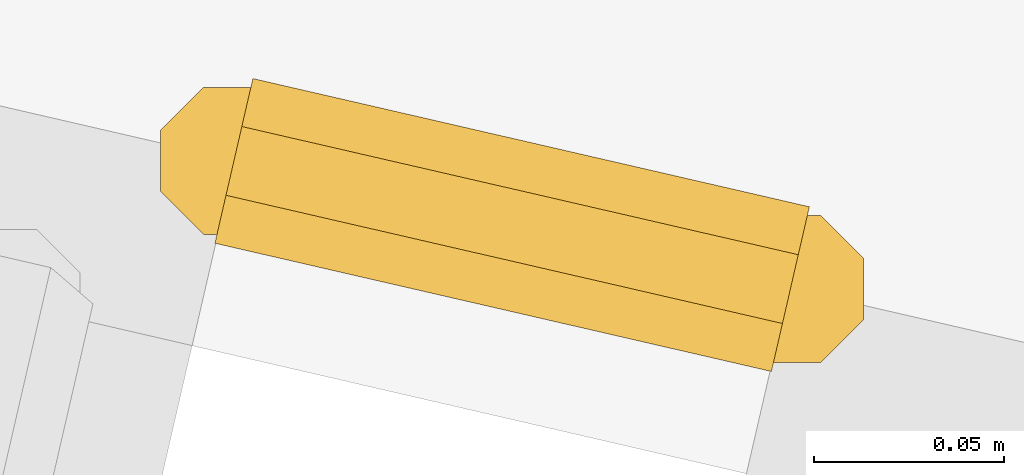
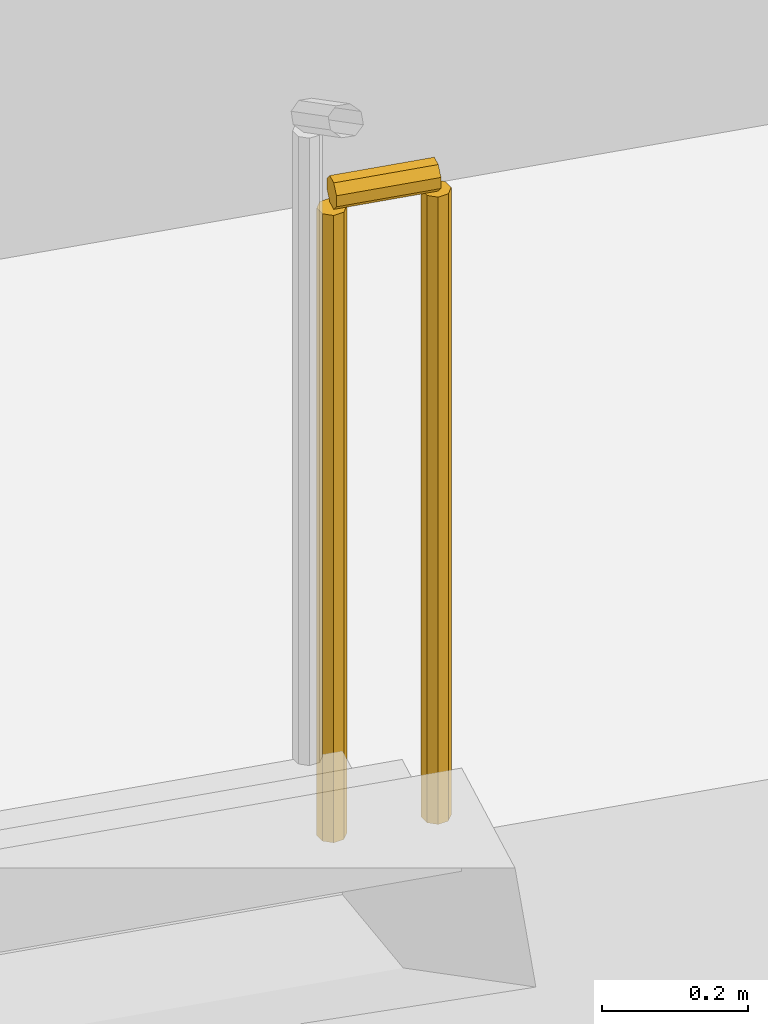
# One storey, part 23 of 27: 1 railing.
"""IFC4 building model written with IfcOpenShell, lengths in metres."""

from ifc_helpers import new_model, si_unit, direction, frame, origin, place, context, subcontext, project, spatial, polyline, outline, extrude, material, type_object, element, save


model = new_model("IFC4")

# Units and contexts
model_context = context("Model", 3, precision=1e-05, world=origin(), true_north=direction((0.0, 1.0)))
body_context = subcontext(model_context, "Body", "Model", "MODEL_VIEW")
ifc_project = project(units=[si_unit("LENGTHUNIT", "METRE"), si_unit("AREAUNIT", "SQUARE_METRE"), si_unit("VOLUMEUNIT", "CUBIC_METRE"), si_unit("PLANEANGLEUNIT", "RADIAN"), si_unit("MASSUNIT", "GRAM", prefix="KILO")], contexts=[model_context])

# Site, building, storey
site_placement = place(None, origin())
site = spatial("IfcSite", under=ifc_project, at=site_placement, CompositionType="ELEMENT")
building_placement = place(site_placement, origin())
building = spatial("IfcBuilding", under=site, at=building_placement, Name="Cormorant Relay Tower", CompositionType="ELEMENT")
storey_placement = place(building_placement, frame((0.0, 0.0, -4.5)))
storey = spatial("IfcBuildingStorey", under=building, at=storey_placement, Name="B1", CompositionType="ELEMENT", Elevation=-4.5)

# Railing
ifc_material = material(Name="Steel ASTM A572 Grade 50 (Fy 345 MPa)", Category="steel")
railing_type = type_object("IfcRailingType", Name="Podium stair guard 1100", PredefinedType="GUARDRAIL", material=ifc_material)
railing_placement = place(storey_placement, frame((-69.109619140625, 30.28564453125, 0.0)))
element("IfcRailing", 1, at=railing_placement, inside=storey, type_object=railing_type, Name="B1 X3 stair guard 4", PredefinedType="GUARDRAIL", context=body_context, shape_type="SweptSolid", body=[
    extrude(outline(polyline([(0.022216796875, 0.00927734375), (0.00927734375, 0.022216796875), (-0.00927734375, 0.022216796875), (-0.022216796875, 0.00927734375), (-0.022216796875, -0.00927734375), (-0.00927734375, -0.022216796875), (0.00927734375, -0.022216796875), (0.022216796875, -0.00927734375), (0.022216796875, 0.00927734375)])), frame((0.0, 0.0, 1.076171875), z_axis=(0.974473386136, -0.224503050562, 0.0), x_axis=(0.224503050562, 0.974473386136, 0.0)), (0.0, 0.0, 1.0), 0.150146484375),
    extrude(outline(polyline([(0.019287109375, 0.008056640625), (0.008056640625, 0.019287109375), (-0.008056640625, 0.019287109375), (-0.019287109375, 0.008056640625), (-0.019287109375, -0.008056640625), (-0.008056640625, -0.019287109375), (0.008056640625, -0.019287109375), (0.019287109375, -0.008056640625), (0.019287109375, 0.008056640625)])), origin(), (0.0, 0.0, 1.0), 1.052001953125),
    extrude(outline(polyline([(0.019287109375, 0.008056640625), (0.008056640625, 0.019287109375), (-0.008056640625, 0.019287109375), (-0.019287109375, 0.008056640625), (-0.019287109375, -0.008056640625), (-0.008056640625, -0.019287109375), (0.008056640625, -0.019287109375), (0.019287109375, -0.008056640625), (0.019287109375, 0.008056640625)])), frame((0.146240234375, -0.03369140625, 0.0)), (0.0, 0.0, 1.0), 1.052001953125),
])

save(model, "model.ifc")
